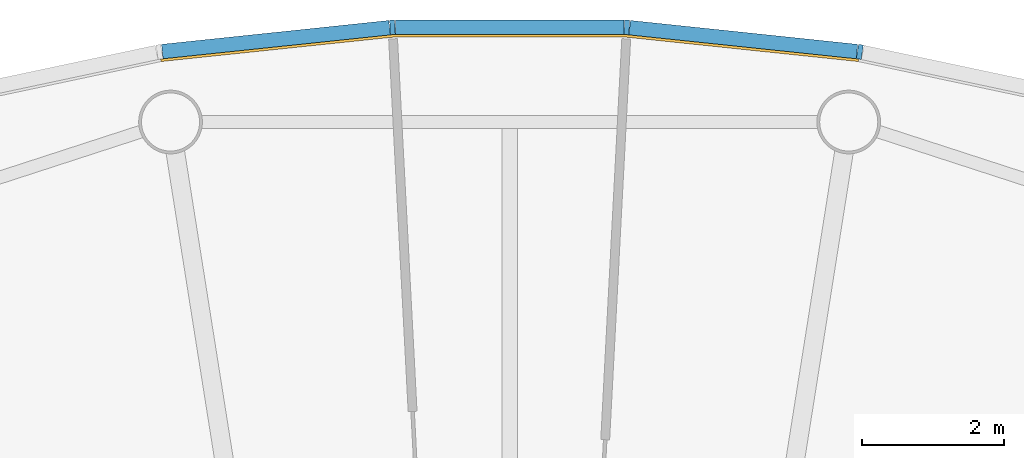
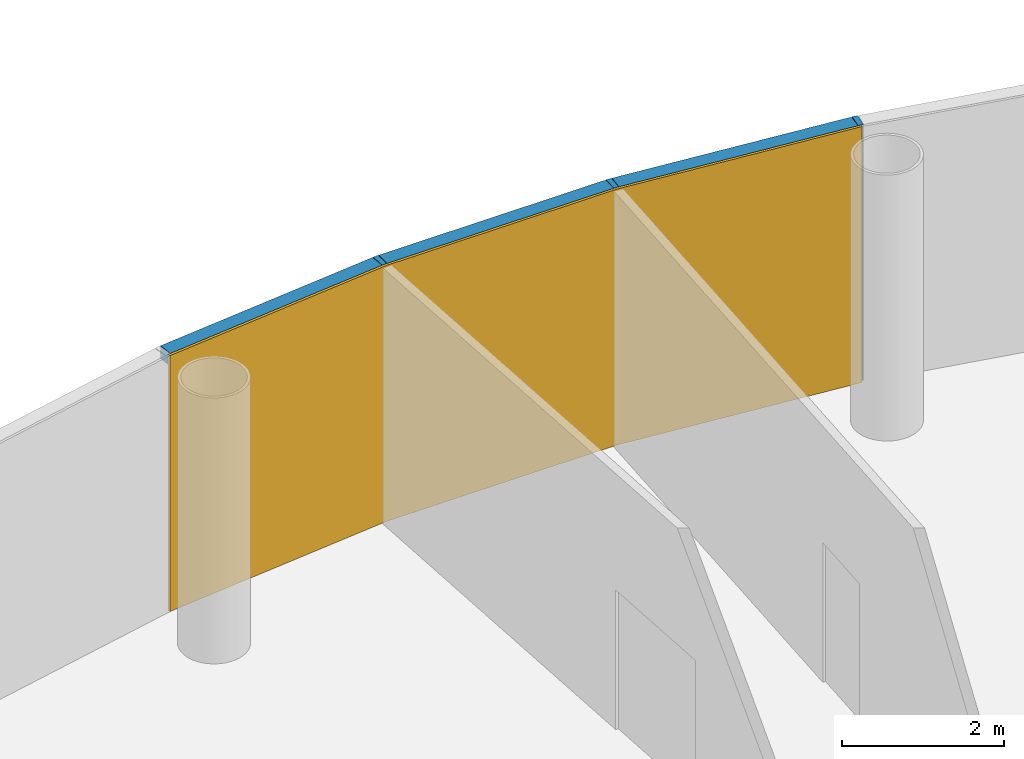
# One storey, part 11 of 13: 6 members, 1 curtain wall.
"""IFC4 building model written with IfcOpenShell, lengths in metres."""

from ifc_helpers import new_model, si_unit, direction, frame, origin, origin_2d, place, context, subcontext, project, spatial, polyline, rectangle, outline, extrude, material, layer, layer_set, material_profile, profile_set, type_object, element, aggregate, save


model = new_model("IFC4")

# Units and contexts
model_context = context("Model", 3, precision=1e-05, world=origin(), true_north=direction((0.0, 1.0)))
body_context = subcontext(model_context, "Body", "Model", "MODEL_VIEW")
ifc_project = project(units=[si_unit("LENGTHUNIT", "METRE"), si_unit("AREAUNIT", "SQUARE_METRE"), si_unit("VOLUMEUNIT", "CUBIC_METRE"), si_unit("PLANEANGLEUNIT", "RADIAN"), si_unit("MASSUNIT", "GRAM", prefix="KILO")], contexts=[model_context])

# Member
ifc_material_1 = material(Name="Anodised aluminium", Category="aluminium")
ifc_material_profile_1 = material_profile(ifc_material_1, rectangle(XDim=0.070068359375, YDim=0.205078125, at=origin_2d()), Name="Mullion 70 x 205 mm anodised aluminium")
ifc_profile_set_1 = profile_set([ifc_material_profile_1], Name="Anodised aluminium")
member_type_1 = type_object("IfcMemberType", Name="Mullion 70 x 205 mm anodised aluminium", PredefinedType="MULLION", material=ifc_profile_set_1)
site_placement = place(None, origin())
building_placement = place(site_placement, origin())
storey_placement = place(building_placement, frame((0.0, 0.0, 376.0)))
member_1_placement = place(storey_placement, frame((94.943603515625, 111.21337890625, 0.0), z_axis=(0.0, 0.0, 1.0), x_axis=(-0.987688340595, 0.15643446504, 0.0)))
member_1 = element("IfcMember", 1, at=member_1_placement, type_object=member_type_1, Name="MULLION L87-12", PredefinedType="MULLION", context=body_context, shape_type="SweptSolid", body=[
    extrude(rectangle(XDim=0.070068359375, YDim=0.205078125, at=origin_2d()), origin(), (0.0, 0.0, 1.0), 3.85009765625),
])

member_2_placement = place(storey_placement, frame((91.654052734375, 111.55908203125, 0.0), z_axis=(0.0, 0.0, 1.0), x_axis=(-0.998629534755, 0.052335956243, 0.0)))
member_2 = element("IfcMember", 2, at=member_2_placement, type_object=member_type_1, Name="MULLION L87-13", PredefinedType="MULLION", context=body_context, shape_type="SweptSolid", body=[
    extrude(rectangle(XDim=0.070068359375, YDim=0.205078125, at=origin_2d()), origin(), (0.0, 0.0, 1.0), 3.85009765625),
])

member_3_placement = place(storey_placement, frame((88.345947265625, 111.55908203125, 0.0), z_axis=(0.0, 0.0, 1.0), x_axis=(-0.998629534755, -0.052335956243, 0.0)))
member_3 = element("IfcMember", 3, at=member_3_placement, type_object=member_type_1, Name="MULLION L87-14", PredefinedType="MULLION", context=body_context, shape_type="SweptSolid", body=[
    extrude(rectangle(XDim=0.070068359375, YDim=0.205078125, at=origin_2d()), origin(), (0.0, 0.0, 1.0), 3.85009765625),
])

ifc_material_2 = material(Name="Anodised aluminium", Category="aluminium")
ifc_material_profile_2 = material_profile(ifc_material_2, rectangle(XDim=0.205078125, YDim=0.195068359375, at=origin_2d()), Name="Transom 195 x 205 mm anodised aluminium")
ifc_profile_set_2 = profile_set([ifc_material_profile_2], Name="Anodised aluminium")
member_type_2 = type_object("IfcMemberType", Name="Transom 195 x 205 mm anodised aluminium", PredefinedType="USERDEFINED", material=ifc_profile_set_2)
member_4_placement = place(storey_placement, frame((94.903564453125, 111.2177734375, 3.75244140625), z_axis=(-0.994519537956, 0.104550890115, 0.0), x_axis=(-0.104550890115, -0.994519537956, 0.0)))
member_4 = element("IfcMember", 4, at=member_4_placement, type_object=member_type_2, Name="TRANSOM L87-12", ObjectType="TRANSOM", PredefinedType="USERDEFINED", context=body_context, shape_type="SweptSolid", body=[
    extrude(rectangle(XDim=0.205078125, YDim=0.195068359375, at=origin_2d()), origin(), (0.0, 0.0, 1.0), 3.22705078125),
])

member_5_placement = place(storey_placement, frame((91.613525390625, 111.559326171875, 3.75244140625), z_axis=(-1.0, 0.0, 0.0), x_axis=(0.0, -1.0, 0.0)))
member_5 = element("IfcMember", 5, at=member_5_placement, type_object=member_type_2, Name="TRANSOM L87-13", ObjectType="TRANSOM", PredefinedType="USERDEFINED", context=body_context, shape_type="SweptSolid", body=[
    extrude(rectangle(XDim=0.205078125, YDim=0.195068359375, at=origin_2d()), origin(), (0.0, 0.0, 1.0), 3.22705078125),
])

member_6_placement = place(storey_placement, frame((88.305908203125, 111.55517578125, 3.75244140625), z_axis=(-0.994519537956, -0.104550890115, 0.0), x_axis=(0.104550890115, -0.994519537956, 0.0)))
member_6 = element("IfcMember", 6, at=member_6_placement, type_object=member_type_2, Name="TRANSOM L87-14", ObjectType="TRANSOM", PredefinedType="USERDEFINED", context=body_context, shape_type="SweptSolid", body=[
    extrude(rectangle(XDim=0.205078125, YDim=0.195068359375, at=origin_2d()), origin(), (0.0, 0.0, 1.0), 3.22705078125),
])

# Site, building, storey
site = spatial("IfcSite", under=ifc_project, at=site_placement, CompositionType="ELEMENT")
building = spatial("IfcBuilding", under=site, at=building_placement, Name="Entoto Ring Tower", CompositionType="ELEMENT")
storey = spatial("IfcBuildingStorey", under=building, at=storey_placement, Name="L87", CompositionType="ELEMENT", Elevation=376.0)

# Curtain wall
ifc_material_3 = material(Name="Clear low-iron glass", Category="glass")
ifc_layer = layer(ifc_material_3, 0.035888671875)
ifc_layer_set = layer_set([ifc_layer], Name="Clear low-iron glass")
curtain_wall_type = type_object("IfcCurtainWallType", Name="Curtain wall system CW6 glazing 36 mm", PredefinedType="NOTDEFINED", material=ifc_layer_set)
curtain_wall_placement = place(storey_placement, origin())
curtain_wall = element("IfcCurtainWall", 7, at=curtain_wall_placement, inside=storey, type_object=curtain_wall_type, Name="CW6 L87-05", PredefinedType="NOTDEFINED", context=body_context, shape_type="SweptSolid", body=[
    extrude(outline(polyline([(94.927734375, 111.1123046875), (91.648681640625, 111.456787109375), (88.351318359375, 111.456787109375), (85.072265625, 111.1123046875), (85.077880859375, 111.07666015625), (88.353271484375, 111.4208984375), (91.646728515625, 111.4208984375), (94.922119140625, 111.07666015625), (94.927734375, 111.1123046875)])), origin(), (0.0, 0.0, 1.0), 3.85009765625),
])

aggregate(curtain_wall, [member_1, member_2, member_3, member_4, member_5, member_6])

save(model, "model.ifc")
